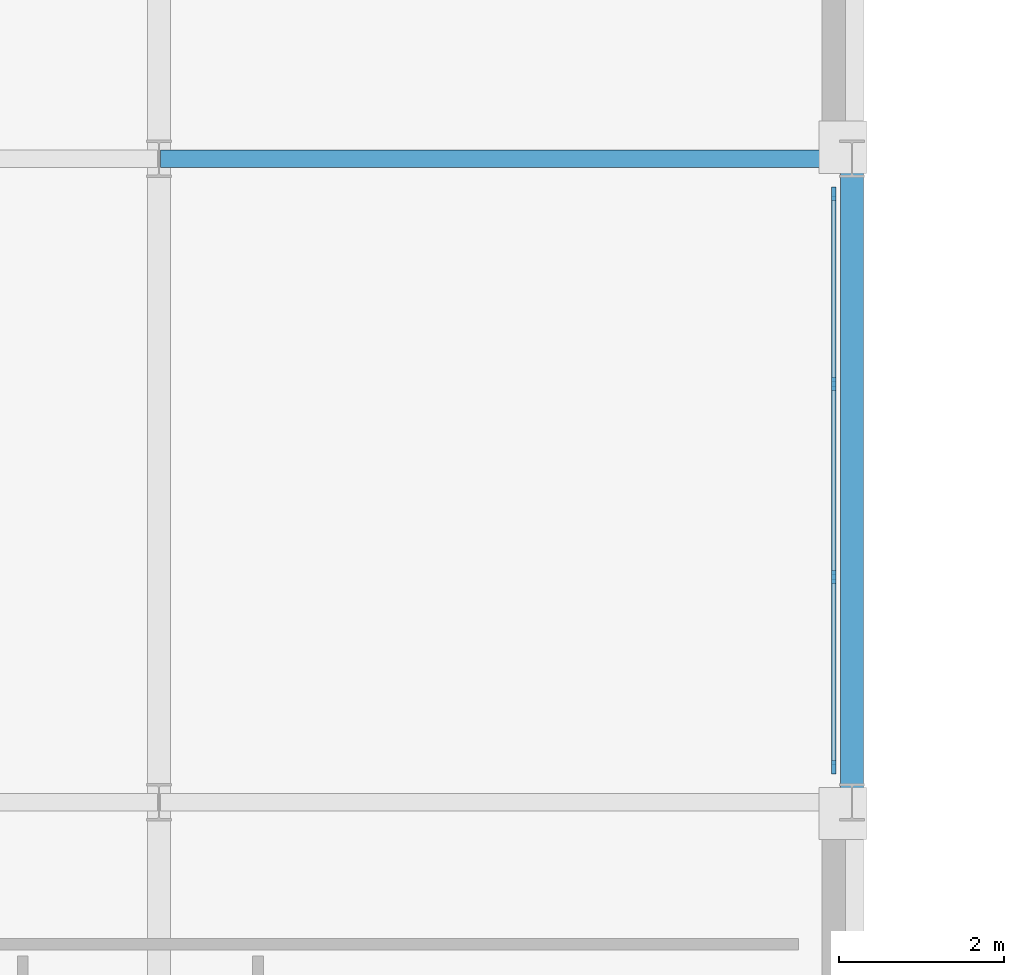
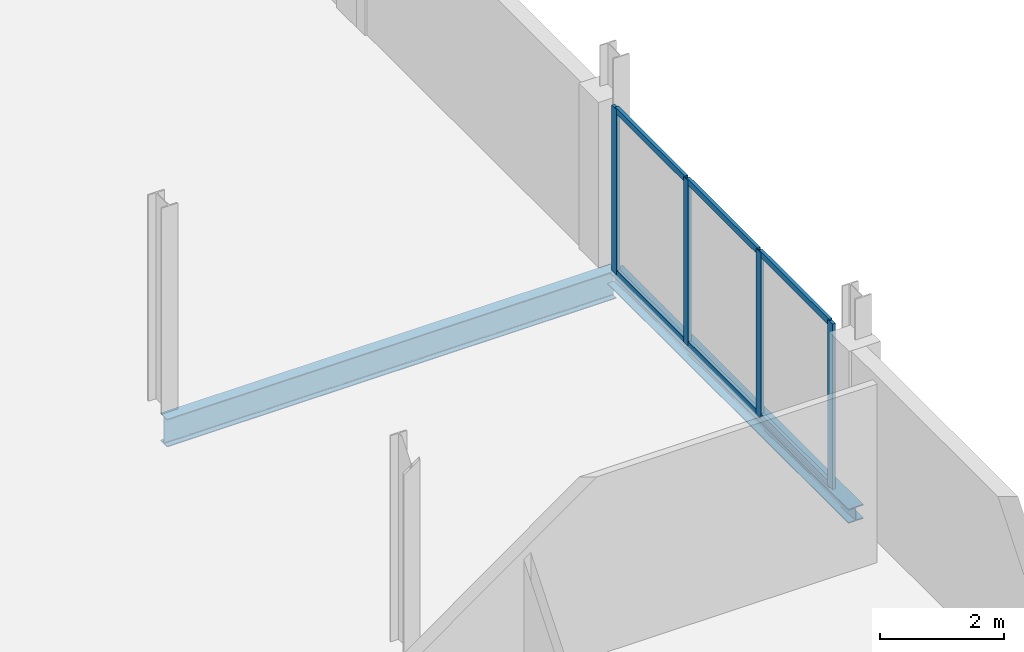
# One storey, part 11 of 25: 10 members, 2 beams, 1 element without a shape of its own.
"""IFC4 building model written with IfcOpenShell, lengths in metres."""

from ifc_helpers import new_model, si_unit, direction, frame, origin, origin_2d, place, context, subcontext, project, spatial, rectangle, i_section, extrude, material, material_profile, profile_set, type_object, element, aggregate, save


model = new_model("IFC4")

# Units and contexts
model_context = context("Model", 3, precision=1e-05, world=origin(), true_north=direction((0.0, 1.0)))
body_context = subcontext(model_context, "Body", "Model", "MODEL_VIEW")
ifc_project = project(units=[si_unit("LENGTHUNIT", "METRE"), si_unit("AREAUNIT", "SQUARE_METRE"), si_unit("VOLUMEUNIT", "CUBIC_METRE"), si_unit("PLANEANGLEUNIT", "RADIAN"), si_unit("MASSUNIT", "GRAM", prefix="KILO")], contexts=[model_context])

# Site, building, storey
site_placement = place(None, origin())
site = spatial("IfcSite", under=ifc_project, at=site_placement, CompositionType="ELEMENT")
building_placement = place(site_placement, origin())
building = spatial("IfcBuilding", under=site, at=building_placement, Name="Nabrawat Pavilion Hospital", CompositionType="ELEMENT")
storey_placement = place(building_placement, frame((0.0, 0.0, 22.949951171875)))
storey = spatial("IfcBuildingStorey", under=building, at=storey_placement, Name="L05", CompositionType="ELEMENT", Elevation=22.949951171875)

# Curtain wall, members
ifc_material_1 = material(Name="Anodised Aluminium", Category="aluminium")
curtain_wall_type = type_object("IfcCurtainWallType", Name="Inpatient Dayroom Bay Curtain Wall", PredefinedType="USERDEFINED", material=ifc_material_1)
curtain_wall_placement = place(storey_placement, origin())
curtain_wall = element("IfcCurtainWall", 1, at=curtain_wall_placement, inside=storey, type_object=curtain_wall_type, Name="L05 Inpatient Dayroom Bay Curtain Wall 152", ObjectType="CURTAIN WALL", PredefinedType="USERDEFINED")
ifc_material_profile_1 = material_profile(ifc_material_1, rectangle(XDim=0.06005859375, YDim=0.159912109375, at=origin_2d()), Name="CWM 60x160")
ifc_profile_set_1 = profile_set([ifc_material_profile_1], Name="Anodised Aluminium")
member_type_1 = type_object("IfcMemberType", Name="Inpatient Dayroom Bay Curtain Wall Mullion CWM 60x160", PredefinedType="MULLION", material=ifc_profile_set_1)
member_1_placement = place(storey_placement, frame((192.97998046875, 55.02490234375, 0.0), z_axis=(0.0, 0.0, 1.0), x_axis=(-1.0, 0.0, 0.0)))
member_1 = element("IfcMember", 2, at=member_1_placement, type_object=member_type_1, Name="CW-WRD-01 mullion 1", PredefinedType="MULLION", context=body_context, shape_type="SweptSolid", body=[
    extrude(rectangle(XDim=0.06005859375, YDim=0.159912109375, at=origin_2d()), origin(), (0.0, 0.0, 1.0), 3.25),
])
member_2_placement = place(storey_placement, frame((192.97998046875, 57.331787109375, 0.0), z_axis=(0.0, 0.0, 1.0), x_axis=(-1.0, 0.0, 0.0)))
member_2 = element("IfcMember", 3, at=member_2_placement, type_object=member_type_1, Name="CW-WRD-01 mullion 2", PredefinedType="MULLION", context=body_context, shape_type="SweptSolid", body=[
    extrude(rectangle(XDim=0.06005859375, YDim=0.159912109375, at=origin_2d()), origin(), (0.0, 0.0, 1.0), 3.25),
])
member_3_placement = place(storey_placement, frame((192.97998046875, 59.668212890625, 0.0), z_axis=(0.0, 0.0, 1.0), x_axis=(-1.0, 0.0, 0.0)))
member_3 = element("IfcMember", 4, at=member_3_placement, type_object=member_type_1, Name="CW-WRD-01 mullion 3", PredefinedType="MULLION", context=body_context, shape_type="SweptSolid", body=[
    extrude(rectangle(XDim=0.06005859375, YDim=0.159912109375, at=origin_2d()), origin(), (0.0, 0.0, 1.0), 3.25),
])
member_4_placement = place(storey_placement, frame((192.97998046875, 61.97509765625, 0.0), z_axis=(0.0, 0.0, 1.0), x_axis=(-1.0, 0.0, 0.0)))
member_4 = element("IfcMember", 5, at=member_4_placement, type_object=member_type_1, Name="CW-WRD-01 mullion 4", PredefinedType="MULLION", context=body_context, shape_type="SweptSolid", body=[
    extrude(rectangle(XDim=0.06005859375, YDim=0.159912109375, at=origin_2d()), origin(), (0.0, 0.0, 1.0), 3.25),
])
ifc_material_profile_2 = material_profile(ifc_material_1, rectangle(XDim=0.06005859375, YDim=0.1201171875, at=origin_2d()), Name="CWT 60x120")
ifc_profile_set_2 = profile_set([ifc_material_profile_2], Name="Anodised Aluminium")
member_type_2 = type_object("IfcMemberType", Name="Inpatient Dayroom Bay Curtain Wall Transom CWT 60x120", PredefinedType="USERDEFINED", material=ifc_profile_set_2)
member_5_placement = place(storey_placement, frame((192.97998046875, 55.054931640625, 0.030029296875), z_axis=(0.0, 1.0, 0.0), x_axis=(-1.0, 0.0, 0.0)))
member_5 = element("IfcMember", 6, at=member_5_placement, type_object=member_type_2, Name="CW-WRD-01 transom 1.1", ObjectType="TRANSOM", PredefinedType="USERDEFINED", context=body_context, shape_type="SweptSolid", body=[
    extrude(rectangle(XDim=0.06005859375, YDim=0.1201171875, at=origin_2d()), origin(), (0.0, 0.0, 1.0), 2.246826171875),
])
member_6_placement = place(storey_placement, frame((192.97998046875, 55.054931640625, 3.219970703125), z_axis=(0.0, 1.0, 0.0), x_axis=(-1.0, 0.0, 0.0)))
member_6 = element("IfcMember", 7, at=member_6_placement, type_object=member_type_2, Name="CW-WRD-01 transom 1.2", ObjectType="TRANSOM", PredefinedType="USERDEFINED", context=body_context, shape_type="SweptSolid", body=[
    extrude(rectangle(XDim=0.06005859375, YDim=0.1201171875, at=origin_2d()), origin(), (0.0, 0.0, 1.0), 2.246826171875),
])
member_7_placement = place(storey_placement, frame((192.97998046875, 57.361572265625, 0.030029296875), z_axis=(0.0, 1.0, 0.0), x_axis=(-1.0, 0.0, 0.0)))
member_7 = element("IfcMember", 8, at=member_7_placement, type_object=member_type_2, Name="CW-WRD-01 transom 2.1", ObjectType="TRANSOM", PredefinedType="USERDEFINED", context=body_context, shape_type="SweptSolid", body=[
    extrude(rectangle(XDim=0.06005859375, YDim=0.1201171875, at=origin_2d()), origin(), (0.0, 0.0, 1.0), 2.27685546875),
])
member_8_placement = place(storey_placement, frame((192.97998046875, 57.361572265625, 3.219970703125), z_axis=(0.0, 1.0, 0.0), x_axis=(-1.0, 0.0, 0.0)))
member_8 = element("IfcMember", 9, at=member_8_placement, type_object=member_type_2, Name="CW-WRD-01 transom 2.2", ObjectType="TRANSOM", PredefinedType="USERDEFINED", context=body_context, shape_type="SweptSolid", body=[
    extrude(rectangle(XDim=0.06005859375, YDim=0.1201171875, at=origin_2d()), origin(), (0.0, 0.0, 1.0), 2.27685546875),
])
member_9_placement = place(storey_placement, frame((192.97998046875, 59.6982421875, 0.030029296875), z_axis=(0.0, 1.0, 0.0), x_axis=(-1.0, 0.0, 0.0)))
member_9 = element("IfcMember", 10, at=member_9_placement, type_object=member_type_2, Name="CW-WRD-01 transom 3.1", ObjectType="TRANSOM", PredefinedType="USERDEFINED", context=body_context, shape_type="SweptSolid", body=[
    extrude(rectangle(XDim=0.06005859375, YDim=0.1201171875, at=origin_2d()), origin(), (0.0, 0.0, 1.0), 2.246826171875),
])
member_10_placement = place(storey_placement, frame((192.97998046875, 59.6982421875, 3.219970703125), z_axis=(0.0, 1.0, 0.0), x_axis=(-1.0, 0.0, 0.0)))
member_10 = element("IfcMember", 11, at=member_10_placement, type_object=member_type_2, Name="CW-WRD-01 transom 3.2", ObjectType="TRANSOM", PredefinedType="USERDEFINED", context=body_context, shape_type="SweptSolid", body=[
    extrude(rectangle(XDim=0.06005859375, YDim=0.1201171875, at=origin_2d()), origin(), (0.0, 0.0, 1.0), 2.246826171875),
])
aggregate(curtain_wall, [member_1, member_2, member_3, member_4, member_5, member_6, member_7, member_8, member_9, member_10])

# Beams
ifc_material_2 = material(Name="Steel S355", Category="steel")
ifc_material_profile_3 = material_profile(ifc_material_2, i_section(OverallWidth=0.2099609375, OverallDepth=0.550048828125, WebThickness=0.010986328125, FlangeThickness=0.01708984375, FilletRadius=0.02392578125, at=origin_2d()), Name="IPE 550")
ifc_profile_set_3 = profile_set([ifc_material_profile_3], Name="Steel S355")
beam_type_1 = type_object("IfcBeamType", Name="Long-Span Floor Girder IPE 550", PredefinedType="USERDEFINED", material=ifc_profile_set_3)
beam_1_placement = place(storey_placement, frame((184.820068359375, 62.39990234375, -0.5048828125), z_axis=(1.0, 0.0, 0.0), x_axis=(0.0, 1.0, 0.0)))
element("IfcBeam", 12, at=beam_1_placement, inside=storey, type_object=beam_type_1, Name="L05 Primary X Girder 2007", ObjectType="GIRDER", PredefinedType="USERDEFINED", context=body_context, shape_type="SweptSolid", body=[
    extrude(i_section(OverallWidth=0.2099609375, OverallDepth=0.550048828125, WebThickness=0.010986328125, FlangeThickness=0.01708984375, FilletRadius=0.02392578125, at=origin_2d()), origin(), (0.0, 0.0, 1.0), 8.35986328125),
])
ifc_material_profile_4 = material_profile(ifc_material_2, i_section(OverallWidth=0.280029296875, OverallDepth=0.280029296875, WebThickness=0.010498046875, FlangeThickness=0.01806640625, FilletRadius=0.02392578125, at=origin_2d()), Name="HEB 280")
ifc_profile_set_4 = profile_set([ifc_material_profile_4], Name="Steel S355")
beam_type_2 = type_object("IfcBeamType", Name="Upper Terrace Edge Spandrel HEB 280", PredefinedType="SPANDREL", material=ifc_profile_set_4)
beam_2_placement = place(storey_placement, frame((193.199951171875, 54.6201171875, -0.369873046875), z_axis=(0.0, 1.0, 0.0), x_axis=(-1.0, 0.0, 0.0)))
element("IfcBeam", 13, at=beam_2_placement, inside=storey, type_object=beam_type_2, Name="L05 Primary Y Beam 2109", PredefinedType="SPANDREL", context=body_context, shape_type="SweptSolid", body=[
    extrude(i_section(OverallWidth=0.280029296875, OverallDepth=0.280029296875, WebThickness=0.010498046875, FlangeThickness=0.01806640625, FilletRadius=0.02392578125, at=origin_2d()), origin(), (0.0, 0.0, 1.0), 7.759765625),
])

save(model, "model.ifc")
